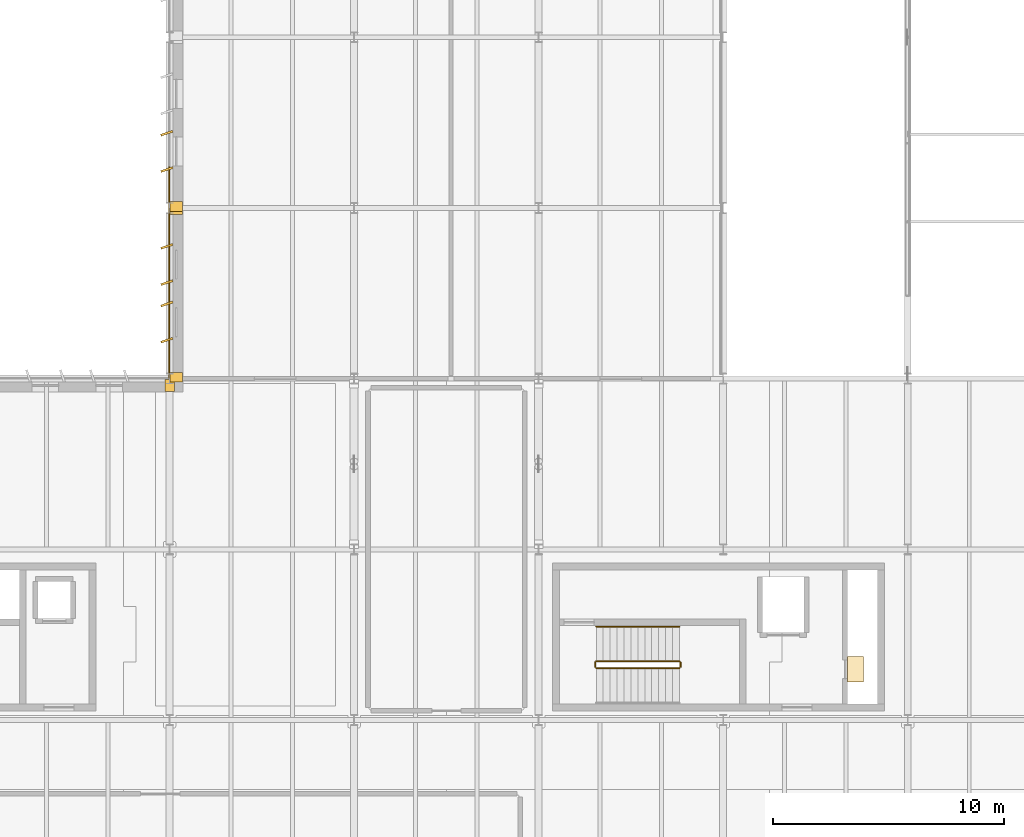
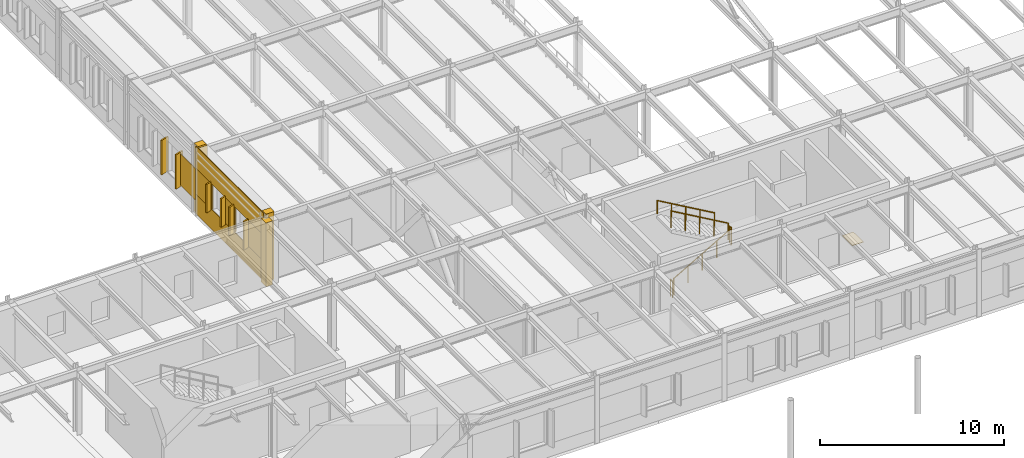
# One storey, part 68 of 75: 17 coverings, 5 railings.
"""IFC4 building model written with IfcOpenShell, lengths in metres."""

from ifc_helpers import new_model, si_unit, direction, frame, frame_2d, origin, origin_2d, place, context, subcontext, project, spatial, polyline, rectangle, circle, outline, extrude, material, layer, layer_set, type_object, element, save


model = new_model("IFC4")

# Units and contexts
model_context = context("Model", 3, precision=1e-05, world=origin(), true_north=direction((0.0, 1.0)))
body_context = subcontext(model_context, "Body", "Model", "MODEL_VIEW")
ifc_project = project(units=[si_unit("LENGTHUNIT", "METRE"), si_unit("AREAUNIT", "SQUARE_METRE"), si_unit("VOLUMEUNIT", "CUBIC_METRE"), si_unit("PLANEANGLEUNIT", "RADIAN"), si_unit("MASSUNIT", "GRAM", prefix="KILO")], contexts=[model_context])

# Site, building, storey
site_placement = place(None, origin())
site = spatial("IfcSite", under=ifc_project, at=site_placement, CompositionType="ELEMENT")
building_placement = place(site_placement, origin())
building = spatial("IfcBuilding", under=site, at=building_placement, Name="Valkorina Park Police Headquarters", CompositionType="ELEMENT")
storey_placement = place(building_placement, frame((0.0, 0.0, 5.39990234375)))
storey = spatial("IfcBuildingStorey", under=building, at=storey_placement, Name="L02", CompositionType="ELEMENT", Elevation=5.39990234375)

# Coverings
ifc_material_1 = material(Name="Precast concrete C40/50", Category="concrete")
ifc_layer_1 = layer(ifc_material_1, 0.044921875)
ifc_layer_set_1 = layer_set([ifc_layer_1], Name="Precast concrete C40/50")
covering_type_1 = type_object("IfcCoveringType", Name="COV-CLAD-DOLOMITE", PredefinedType="CLADDING", material=ifc_layer_set_1)
covering_1_placement = place(storey_placement, frame((96.81005859375, 81.110107421875, 0.0), z_axis=(0.0, 0.0, 1.0), x_axis=(1.0, 0.0, 0.0)))
element("IfcCovering", 1, at=covering_1_placement, inside=storey, type_object=covering_type_1, Name="L02 Exterior Joint Closure Pilaster B 1282", PredefinedType="CLADDING", context=body_context, shape_type="SweptSolid", body=[
    extrude(rectangle(XDim=0.419921875, YDim=0.52197265625, at=origin_2d()), origin(), (0.0, 0.0, 1.0), 4.239990234375),
])
for number, where, z_axis, x_axis, name in (
    (2, (97.090087890625, 81.465087890625, 0.0), (0.0, 0.0, 1.0), (0.0, 1.0, 0.0), "L02 Exterior Joint Closure Pilaster A 1292"),
    (3, (97.090087890625, 88.735107421875, 0.0), (0.0, 0.0, 1.0), (0.0, 1.0, 0.0), "L02 Exterior Joint Closure Pilaster B 1293"),
):
    element("IfcCovering", number, at=place(storey_placement, frame(where, z_axis=z_axis, x_axis=x_axis)), inside=storey, type_object=covering_type_1, Name=name, PredefinedType="CLADDING", context=body_context, shape_type="SweptSolid", body=[
        extrude(rectangle(XDim=0.419921875, YDim=0.52197265625, at=origin_2d()), origin(), (0.0, 0.0, 1.0), 4.5),
    ])
for number, where, z_axis, x_axis, name in (
    (4, (96.679931640625, 83.067626953125, 1.22998046875), (0.0, 0.0, 1.0), (-0.948323655206, -0.317304656405, 0.0), "Slanted 18.5-deg Precast Window Slot Fin 1294"),
    (5, (96.679931640625, 84.6376953125, 1.22998046875), (0.0, 0.0, 1.0), (-0.948323655206, -0.317304656405, 0.0), "Slanted 18.5-deg Precast Window Slot Fin 1295"),
    (6, (96.679931640625, 85.5625, 1.22998046875), (0.0, 0.0, 1.0), (-0.948323655206, -0.317304656405, 0.0), "Slanted 18.5-deg Precast Window Slot Fin 1296"),
    (7, (96.679931640625, 87.13232421875, 1.22998046875), (0.0, 0.0, 1.0), (-0.948323655206, -0.317304656405, 0.0), "Slanted 18.5-deg Precast Window Slot Fin 1297"),
):
    element("IfcCovering", number, at=place(storey_placement, frame(where, z_axis=z_axis, x_axis=x_axis)), inside=storey, type_object=covering_type_1, Name=name, PredefinedType="CLADDING", context=body_context, shape_type="SweptSolid", body=[
        extrude(rectangle(XDim=0.5400390625, YDim=0.090087890625, at=origin_2d()), origin(), (0.0, 0.0, 1.0), 1.889892578125),
    ])
covering_2_placement = place(storey_placement, frame((96.784912109375, 81.419921875, 0.0), z_axis=(0.0, 0.0, 1.0), x_axis=(0.0, 1.0, 0.0)))
element("IfcCovering", 8, at=covering_2_placement, inside=storey, type_object=covering_type_1, Name="L02 Calm Concrete Base Sill Spandrel 1298", PredefinedType="CLADDING", context=body_context, shape_type="SweptSolid", body=[
    extrude(rectangle(XDim=7.360107421875, YDim=0.044921875, at=frame_2d((3.68017578125, 0.0))), origin(), (0.0, 0.0, 1.0), 1.320068359375),
])
covering_3_placement = place(storey_placement, frame((96.784912109375, 81.419921875, 3.030029296875), z_axis=(0.0, 0.0, 1.0), x_axis=(0.0, 1.0, 0.0)))
element("IfcCovering", 9, at=covering_3_placement, inside=storey, type_object=covering_type_1, Name="L02 Calm Concrete Base Lintel Spandrel 1299", PredefinedType="CLADDING", context=body_context, shape_type="SweptSolid", body=[
    extrude(rectangle(XDim=7.360107421875, YDim=0.044921875, at=frame_2d((3.68017578125, 0.0))), origin(), (0.0, 0.0, 1.0), 1.469970703125),
])
covering_4_placement = place(storey_placement, frame((96.784912109375, 81.419921875, 1.320068359375), z_axis=(0.0, 0.0, 1.0), x_axis=(0.0, 1.0, 0.0)))
element("IfcCovering", 10, at=covering_4_placement, inside=storey, type_object=covering_type_1, Name="L02 Calm Concrete Base Slot Pier 1300", PredefinedType="CLADDING", context=body_context, shape_type="SweptSolid", body=[
    extrude(rectangle(XDim=1.757568359375, YDim=0.044921875, at=frame_2d((0.87890625, 0.0))), origin(), (0.0, 0.0, 1.0), 1.7099609375),
])
covering_5_placement = place(storey_placement, frame((96.784912109375, 84.527587890625, 1.320068359375), z_axis=(0.0, 0.0, 1.0), x_axis=(0.0, 1.0, 0.0)))
element("IfcCovering", 11, at=covering_5_placement, inside=storey, type_object=covering_type_1, Name="L02 Calm Concrete Base Slot Pier 1301", PredefinedType="CLADDING", context=body_context, shape_type="SweptSolid", body=[
    extrude(rectangle(XDim=1.144775390625, YDim=0.044921875, at=frame_2d((0.572265625, 0.0))), origin(), (0.0, 0.0, 1.0), 1.7099609375),
])
covering_6_placement = place(storey_placement, frame((96.784912109375, 87.0224609375, 1.320068359375), z_axis=(0.0, 0.0, 1.0), x_axis=(0.0, 1.0, 0.0)))
element("IfcCovering", 12, at=covering_6_placement, inside=storey, type_object=covering_type_1, Name="L02 Calm Concrete Base Slot Pier 1302", PredefinedType="CLADDING", context=body_context, shape_type="SweptSolid", body=[
    extrude(rectangle(XDim=1.757568359375, YDim=0.044921875, at=frame_2d((0.87890625, 0.0))), origin(), (0.0, 0.0, 1.0), 1.7099609375),
])
covering_7_placement = place(storey_placement, frame((97.090087890625, 88.864990234375, 0.0), z_axis=(0.0, 0.0, 1.0), x_axis=(0.0, 1.0, 0.0)))
element("IfcCovering", 13, at=covering_7_placement, inside=storey, type_object=covering_type_1, Name="L02 Exterior Joint Closure Pilaster A 1303", PredefinedType="CLADDING", context=body_context, shape_type="SweptSolid", body=[
    extrude(rectangle(XDim=0.419921875, YDim=0.52197265625, at=origin_2d()), origin(), (0.0, 0.0, 1.0), 4.5),
])
for number, where, z_axis, x_axis, name in (
    (14, (96.679931640625, 90.467529296875, 0.780029296875), (0.0, 0.0, 1.0), (-0.948323655206, -0.317304656405, 0.0), "Slanted 18.5-deg Precast Window Slot Fin 1305"),
    (15, (96.679931640625, 92.03759765625, 0.780029296875), (0.0, 0.0, 1.0), (-0.948323655206, -0.317304656405, 0.0), "Slanted 18.5-deg Precast Window Slot Fin 1306"),
):
    element("IfcCovering", number, at=place(storey_placement, frame(where, z_axis=z_axis, x_axis=x_axis)), inside=storey, type_object=covering_type_1, Name=name, PredefinedType="CLADDING", context=body_context, shape_type="SweptSolid", body=[
        extrude(rectangle(XDim=0.5400390625, YDim=0.090087890625, at=origin_2d()), origin(), (0.0, 0.0, 1.0), 2.2900390625),
    ])
covering_8_placement = place(storey_placement, frame((96.784912109375, 88.820068359375, 0.8701171875), z_axis=(0.0, 0.0, 1.0), x_axis=(0.0, 1.0, 0.0)))
element("IfcCovering", 16, at=covering_8_placement, inside=storey, type_object=covering_type_1, Name="L02 Calm Concrete Base Slot Pier 1311", PredefinedType="CLADDING", context=body_context, shape_type="SweptSolid", body=[
    extrude(rectangle(XDim=1.757568359375, YDim=0.044921875, at=frame_2d((0.87890625, 0.0))), origin(), (0.0, 0.0, 1.0), 2.10986328125),
])
ifc_material_2 = material(Name="Resin terrazzo flooring")
ifc_layer_2 = layer(ifc_material_2, 0.030029296875)
ifc_layer_set_2 = layer_set([ifc_layer_2], Name="Resin terrazzo flooring")
covering_type_2 = type_object("IfcCoveringType", Name="COV-FLOOR-TERRAZZO", PredefinedType="FLOORING", material=ifc_layer_set_2)
covering_9_placement = place(storey_placement, origin())
element("IfcCovering", 17, at=covering_9_placement, inside=storey, type_object=covering_type_2, Name="Core C5 L02 Riser Inspection Threshold Grate", PredefinedType="FLOORING", context=body_context, shape_type="SweptSolid", body=[
    extrude(outline(polyline([(126.8798828125, 68.25), (126.8798828125, 69.35009765625), (126.179931640625, 69.35009765625), (126.179931640625, 68.25), (126.8798828125, 68.25)])), origin(), (0.0, 0.0, 1.0), 0.030029296875),
])

# Railings
ifc_material_3 = material(Name="Stainless steel EN 1.4404", Category="steel")
railing_type_1 = type_object("IfcRailingType", Name="RL-GUARD-INT-1100", PredefinedType="BALUSTRADE", material=ifc_material_3)
railing_1_placement = place(storey_placement, frame((115.300048828125, 68.85009765625, 0.173095703125)))
element("IfcRailing", 18, at=railing_1_placement, inside=storey, type_object=railing_type_1, Name="L02 Core C5 Stair Guard 1", PredefinedType="BALUSTRADE", context=body_context, shape_type="SweptSolid", body=[
    extrude(circle(Radius=0.02392578125, at=origin_2d()), frame((0.0, 0.0, 1.09619140625), z_axis=(0.866178740119, 0.0, 0.499734319579), x_axis=(0.0, 1.0, 0.0)), (0.0, 0.0, 1.0), 4.156005859375),
    extrude(circle(Radius=0.02099609375, at=origin_2d()), origin(), (0.0, 0.0, 1.0), 1.072021484375),
    extrude(circle(Radius=0.02099609375, at=origin_2d()), frame((0.89990234375, 0.0, 0.519287109375)), (0.0, 0.0, 1.0), 1.072021484375),
    extrude(circle(Radius=0.02099609375, at=origin_2d()), frame((1.7998046875, 0.0, 1.03857421875)), (0.0, 0.0, 1.0), 1.072021484375),
    extrude(circle(Radius=0.02099609375, at=origin_2d()), frame((2.699951171875, 0.0, 1.5576171875)), (0.0, 0.0, 1.0), 1.072021484375),
    extrude(circle(Radius=0.02099609375, at=origin_2d()), frame((3.599853515625, 0.0, 2.076904296875)), (0.0, 0.0, 1.0), 1.072021484375),
])
railing_2_placement = place(storey_placement, frame((118.949951171875, 68.89990234375, 2.25)))
element("IfcRailing", 19, at=railing_2_placement, inside=storey, type_object=railing_type_1, Name="L02 Core C5 Stair Guard 2", PredefinedType="BALUSTRADE", context=body_context, shape_type="SweptSolid", body=[
    extrude(circle(Radius=0.02392578125, at=origin_2d()), frame((0.0, 0.0, 1.09619140625), z_axis=(0.0, 1.0, 0.0), x_axis=(-1.0, 0.0, 0.0)), (0.0, 0.0, 1.0), 0.2001953125),
    extrude(circle(Radius=0.02099609375, at=origin_2d()), origin(), (0.0, 0.0, 1.0), 1.072021484375),
    extrude(circle(Radius=0.02099609375, at=origin_2d()), frame((0.0, 0.2001953125, 0.0)), (0.0, 0.0, 1.0), 1.072021484375),
])
railing_3_placement = place(storey_placement, frame((118.89990234375, 69.14990234375, 2.423095703125)))
element("IfcRailing", 20, at=railing_3_placement, inside=storey, type_object=railing_type_1, Name="L02 Core C5 Stair Guard 3", PredefinedType="BALUSTRADE", context=body_context, shape_type="SweptSolid", body=[
    extrude(circle(Radius=0.02392578125, at=origin_2d()), frame((0.0, 0.0, 1.09619140625), z_axis=(-0.866178740119, 0.0, 0.499734319579), x_axis=(0.0, -1.0, 0.0)), (0.0, 0.0, 1.0), 4.156005859375),
    extrude(circle(Radius=0.02099609375, at=origin_2d()), origin(), (0.0, 0.0, 1.0), 1.072021484375),
    extrude(circle(Radius=0.02099609375, at=origin_2d()), frame((-0.89990234375, 0.0, 0.519287109375)), (0.0, 0.0, 1.0), 1.072021484375),
    extrude(circle(Radius=0.02099609375, at=origin_2d()), frame((-1.7998046875, 0.0, 1.03857421875)), (0.0, 0.0, 1.0), 1.072021484375),
    extrude(circle(Radius=0.02099609375, at=origin_2d()), frame((-2.699951171875, 0.0, 1.5576171875)), (0.0, 0.0, 1.0), 1.072021484375),
    extrude(circle(Radius=0.02099609375, at=origin_2d()), frame((-3.599853515625, 0.0, 2.076904296875)), (0.0, 0.0, 1.0), 1.072021484375),
])
railing_4_placement = place(storey_placement, frame((115.25, 68.89990234375, 0.0)))
element("IfcRailing", 21, at=railing_4_placement, inside=storey, type_object=railing_type_1, Name="L02 Core C5 Stair Guard 4", PredefinedType="BALUSTRADE", context=body_context, shape_type="SweptSolid", body=[
    extrude(circle(Radius=0.02392578125, at=origin_2d()), frame((0.0, 0.0, 1.09619140625), z_axis=(0.0, 1.0, 0.0), x_axis=(-1.0, 0.0, 0.0)), (0.0, 0.0, 1.0), 0.2001953125),
    extrude(circle(Radius=0.02099609375, at=origin_2d()), origin(), (0.0, 0.0, 1.0), 1.072021484375),
    extrude(circle(Radius=0.02099609375, at=origin_2d()), frame((0.0, 0.2001953125, 0.0)), (0.0, 0.0, 1.0), 1.072021484375),
])
railing_type_2 = type_object("IfcRailingType", Name="RL-HANDRAIL-900", PredefinedType="HANDRAIL", material=ifc_material_3)
railing_5_placement = place(storey_placement, frame((118.89990234375, 70.64990234375, 2.423095703125)))
element("IfcRailing", 22, at=railing_5_placement, inside=storey, type_object=railing_type_2, Name="L02 Core C5 Stair Handrail 2", PredefinedType="HANDRAIL", context=body_context, shape_type="SweptSolid", body=[
    extrude(circle(Radius=0.02392578125, at=origin_2d()), frame((0.0, 0.0, 0.8759765625), z_axis=(-0.866178740119, 0.0, 0.499734319579), x_axis=(0.0, -1.0, 0.0)), (0.0, 0.0, 1.0), 4.156005859375),
    extrude(circle(Radius=0.02099609375, at=origin_2d()), origin(), (0.0, 0.0, 1.0), 0.851806640625),
    extrude(circle(Radius=0.02099609375, at=origin_2d()), frame((-0.89990234375, 0.0, 0.519287109375)), (0.0, 0.0, 1.0), 0.851806640625),
    extrude(circle(Radius=0.02099609375, at=origin_2d()), frame((-1.7998046875, 0.0, 1.03857421875)), (0.0, 0.0, 1.0), 0.851806640625),
    extrude(circle(Radius=0.02099609375, at=origin_2d()), frame((-2.699951171875, 0.0, 1.5576171875)), (0.0, 0.0, 1.0), 0.851806640625),
    extrude(circle(Radius=0.02099609375, at=origin_2d()), frame((-3.599853515625, 0.0, 2.076904296875)), (0.0, 0.0, 1.0), 0.851806640625),
])

save(model, "model.ifc")
